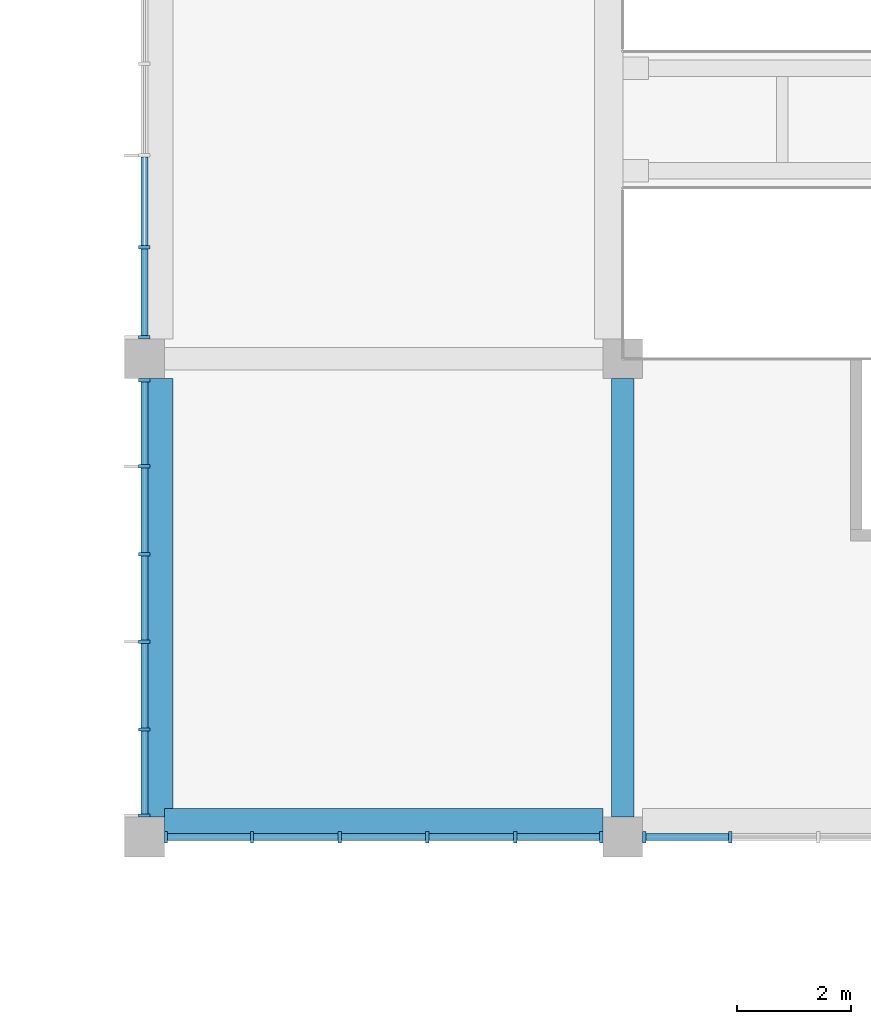
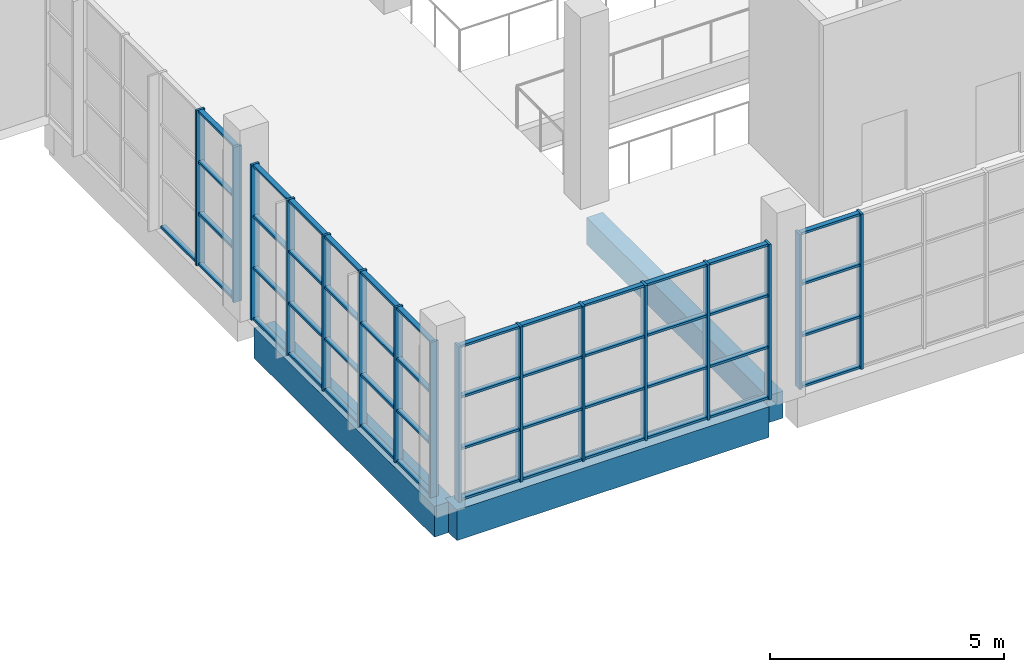
# One storey, part 5 of 82: 65 members, 3 beams, 4 elements without a shape of their own.
"""IFC4 building model written with IfcOpenShell, lengths in metres."""

from ifc_helpers import new_model, si_unit, direction, frame, origin, origin_2d, place, context, subcontext, project, spatial, rectangle, extrude, material, material_profile, profile_set, type_object, element, aggregate, save


model = new_model("IFC4")

# Units and contexts
model_context = context("Model", 3, precision=1e-05, world=origin(), true_north=direction((0.0, 1.0)))
body_context = subcontext(model_context, "Body", "Model", "MODEL_VIEW")
ifc_project = project(units=[si_unit("LENGTHUNIT", "METRE"), si_unit("AREAUNIT", "SQUARE_METRE"), si_unit("VOLUMEUNIT", "CUBIC_METRE"), si_unit("PLANEANGLEUNIT", "RADIAN"), si_unit("MASSUNIT", "GRAM", prefix="KILO")], contexts=[model_context])

# Site, building, storey
site_placement = place(None, origin())
site = spatial("IfcSite", under=ifc_project, at=site_placement, CompositionType="ELEMENT")
building_placement = place(site_placement, origin())
building = spatial("IfcBuilding", under=site, at=building_placement, Name="Almond Square Museum", CompositionType="ELEMENT")
storey_placement = place(building_placement, frame((0.0, 0.0, 20.0)))
storey = spatial("IfcBuildingStorey", under=building, at=storey_placement, Name="L03", CompositionType="ELEMENT", Elevation=20.0)

# Curtain wall, members
ifc_material_1 = material(Name="Aluminium and laminated glass", Category="aluminium")
curtain_wall_type = type_object("IfcCurtainWallType", Name="Unitised curtain wall 1500 module", PredefinedType="NOTDEFINED", material=ifc_material_1)
curtain_wall_1_placement = place(storey_placement, origin())
curtain_wall_1 = element("IfcCurtainWall", 1, at=curtain_wall_1_placement, inside=storey, type_object=curtain_wall_type, Name="Curtain wall CW-35", PredefinedType="NOTDEFINED")
ifc_material_2 = material(Name="Anodised aluminium", Category="aluminium")
ifc_material_profile_1 = material_profile(ifc_material_2, rectangle(XDim=0.199951171875, YDim=0.06005859375, at=origin_2d()))
ifc_profile_set_1 = profile_set([ifc_material_profile_1], Name="Anodised aluminium")
member_type_1 = type_object("IfcMemberType", Name="Aluminium mullion 60 x 200", PredefinedType="MULLION", material=ifc_profile_set_1)
member_1_placement = place(storey_placement, frame((73.199951171875, 75.97998046875, 0.0), z_axis=(0.0, 0.0, 1.0), x_axis=(-1.0, 0.0, 0.0)))
member_1 = element("IfcMember", 2, at=member_1_placement, type_object=member_type_1, Name="CW-35 mullion 1", PredefinedType="MULLION", context=body_context, shape_type="SweptSolid", body=[
    extrude(rectangle(XDim=0.199951171875, YDim=0.06005859375, at=origin_2d()), origin(), (0.0, 0.0, 1.0), 4.050048828125),
])
member_2_placement = place(storey_placement, frame((73.199951171875, 77.56005859375, 0.0), z_axis=(0.0, 0.0, 1.0), x_axis=(-1.0, 0.0, 0.0)))
member_2 = element("IfcMember", 3, at=member_2_placement, type_object=member_type_1, Name="CW-35 mullion 2", PredefinedType="MULLION", context=body_context, shape_type="SweptSolid", body=[
    extrude(rectangle(XDim=0.199951171875, YDim=0.06005859375, at=origin_2d()), origin(), (0.0, 0.0, 1.0), 4.050048828125),
])

curtain_wall_2_placement = place(storey_placement, origin())
curtain_wall_2 = element("IfcCurtainWall", 4, at=curtain_wall_2_placement, inside=storey, type_object=curtain_wall_type, Name="Curtain wall CW-36", PredefinedType="NOTDEFINED")
member_3_placement = place(storey_placement, frame((73.199951171875, 67.580078125, 0.0), z_axis=(0.0, 0.0, 1.0), x_axis=(-1.0, 0.0, 0.0)))
member_3 = element("IfcMember", 5, at=member_3_placement, type_object=member_type_1, Name="CW-36 mullion 1", PredefinedType="MULLION", context=body_context, shape_type="SweptSolid", body=[
    extrude(rectangle(XDim=0.199951171875, YDim=0.06005859375, at=origin_2d()), origin(), (0.0, 0.0, 1.0), 4.050048828125),
])
member_4_placement = place(storey_placement, frame((73.199951171875, 69.090087890625, 0.0), z_axis=(0.0, 0.0, 1.0), x_axis=(-1.0, 0.0, 0.0)))
member_4 = element("IfcMember", 6, at=member_4_placement, type_object=member_type_1, Name="CW-36 mullion 2", PredefinedType="MULLION", context=body_context, shape_type="SweptSolid", body=[
    extrude(rectangle(XDim=0.199951171875, YDim=0.06005859375, at=origin_2d()), origin(), (0.0, 0.0, 1.0), 4.050048828125),
])
member_5_placement = place(storey_placement, frame((73.199951171875, 70.6298828125, 0.0), z_axis=(0.0, 0.0, 1.0), x_axis=(-1.0, 0.0, 0.0)))
member_5 = element("IfcMember", 7, at=member_5_placement, type_object=member_type_1, Name="CW-36 mullion 3", PredefinedType="MULLION", context=body_context, shape_type="SweptSolid", body=[
    extrude(rectangle(XDim=0.199951171875, YDim=0.06005859375, at=origin_2d()), origin(), (0.0, 0.0, 1.0), 4.050048828125),
])
member_6_placement = place(storey_placement, frame((73.199951171875, 72.169921875, 0.0), z_axis=(0.0, 0.0, 1.0), x_axis=(-1.0, 0.0, 0.0)))
member_6 = element("IfcMember", 8, at=member_6_placement, type_object=member_type_1, Name="CW-36 mullion 4", PredefinedType="MULLION", context=body_context, shape_type="SweptSolid", body=[
    extrude(rectangle(XDim=0.199951171875, YDim=0.06005859375, at=origin_2d()), origin(), (0.0, 0.0, 1.0), 4.050048828125),
])
member_7_placement = place(storey_placement, frame((73.199951171875, 73.7099609375, 0.0), z_axis=(0.0, 0.0, 1.0), x_axis=(-1.0, 0.0, 0.0)))
member_7 = element("IfcMember", 9, at=member_7_placement, type_object=member_type_1, Name="CW-36 mullion 5", PredefinedType="MULLION", context=body_context, shape_type="SweptSolid", body=[
    extrude(rectangle(XDim=0.199951171875, YDim=0.06005859375, at=origin_2d()), origin(), (0.0, 0.0, 1.0), 4.050048828125),
])
member_8_placement = place(storey_placement, frame((73.199951171875, 75.219970703125, 0.0), z_axis=(0.0, 0.0, 1.0), x_axis=(-1.0, 0.0, 0.0)))
member_8 = element("IfcMember", 10, at=member_8_placement, type_object=member_type_1, Name="CW-36 mullion 6", PredefinedType="MULLION", context=body_context, shape_type="SweptSolid", body=[
    extrude(rectangle(XDim=0.199951171875, YDim=0.06005859375, at=origin_2d()), origin(), (0.0, 0.0, 1.0), 4.050048828125),
])

curtain_wall_3_placement = place(storey_placement, origin())
curtain_wall_3 = element("IfcCurtainWall", 11, at=curtain_wall_3_placement, inside=storey, type_object=curtain_wall_type, Name="Curtain wall CW-37", PredefinedType="NOTDEFINED")
member_9_placement = place(storey_placement, frame((73.580078125, 67.199951171875, 0.0), z_axis=(0.0, 0.0, 1.0), x_axis=(0.0, 1.0, 0.0)))
member_9 = element("IfcMember", 12, at=member_9_placement, type_object=member_type_1, Name="CW-37 mullion 1", PredefinedType="MULLION", context=body_context, shape_type="SweptSolid", body=[
    extrude(rectangle(XDim=0.199951171875, YDim=0.06005859375, at=origin_2d()), origin(), (0.0, 0.0, 1.0), 4.050048828125),
])
member_10_placement = place(storey_placement, frame((75.090087890625, 67.199951171875, 0.0), z_axis=(0.0, 0.0, 1.0), x_axis=(0.0, 1.0, 0.0)))
member_10 = element("IfcMember", 13, at=member_10_placement, type_object=member_type_1, Name="CW-37 mullion 2", PredefinedType="MULLION", context=body_context, shape_type="SweptSolid", body=[
    extrude(rectangle(XDim=0.199951171875, YDim=0.06005859375, at=origin_2d()), origin(), (0.0, 0.0, 1.0), 4.050048828125),
])
member_11_placement = place(storey_placement, frame((76.6298828125, 67.199951171875, 0.0), z_axis=(0.0, 0.0, 1.0), x_axis=(0.0, 1.0, 0.0)))
member_11 = element("IfcMember", 14, at=member_11_placement, type_object=member_type_1, Name="CW-37 mullion 3", PredefinedType="MULLION", context=body_context, shape_type="SweptSolid", body=[
    extrude(rectangle(XDim=0.199951171875, YDim=0.06005859375, at=origin_2d()), origin(), (0.0, 0.0, 1.0), 4.050048828125),
])
member_12_placement = place(storey_placement, frame((78.169921875, 67.199951171875, 0.0), z_axis=(0.0, 0.0, 1.0), x_axis=(0.0, 1.0, 0.0)))
member_12 = element("IfcMember", 15, at=member_12_placement, type_object=member_type_1, Name="CW-37 mullion 4", PredefinedType="MULLION", context=body_context, shape_type="SweptSolid", body=[
    extrude(rectangle(XDim=0.199951171875, YDim=0.06005859375, at=origin_2d()), origin(), (0.0, 0.0, 1.0), 4.050048828125),
])
member_13_placement = place(storey_placement, frame((79.7099609375, 67.199951171875, 0.0), z_axis=(0.0, 0.0, 1.0), x_axis=(0.0, 1.0, 0.0)))
member_13 = element("IfcMember", 16, at=member_13_placement, type_object=member_type_1, Name="CW-37 mullion 5", PredefinedType="MULLION", context=body_context, shape_type="SweptSolid", body=[
    extrude(rectangle(XDim=0.199951171875, YDim=0.06005859375, at=origin_2d()), origin(), (0.0, 0.0, 1.0), 4.050048828125),
])
member_14_placement = place(storey_placement, frame((81.219970703125, 67.199951171875, 0.0), z_axis=(0.0, 0.0, 1.0), x_axis=(0.0, 1.0, 0.0)))
member_14 = element("IfcMember", 17, at=member_14_placement, type_object=member_type_1, Name="CW-37 mullion 6", PredefinedType="MULLION", context=body_context, shape_type="SweptSolid", body=[
    extrude(rectangle(XDim=0.199951171875, YDim=0.06005859375, at=origin_2d()), origin(), (0.0, 0.0, 1.0), 4.050048828125),
])

curtain_wall_4_placement = place(storey_placement, origin())
curtain_wall_4 = element("IfcCurtainWall", 18, at=curtain_wall_4_placement, inside=storey, type_object=curtain_wall_type, Name="Curtain wall CW-38", PredefinedType="NOTDEFINED")
member_15_placement = place(storey_placement, frame((81.97998046875, 67.199951171875, 0.0), z_axis=(0.0, 0.0, 1.0), x_axis=(0.0, 1.0, 0.0)))
member_15 = element("IfcMember", 19, at=member_15_placement, type_object=member_type_1, Name="CW-38 mullion 1", PredefinedType="MULLION", context=body_context, shape_type="SweptSolid", body=[
    extrude(rectangle(XDim=0.199951171875, YDim=0.06005859375, at=origin_2d()), origin(), (0.0, 0.0, 1.0), 4.050048828125),
])
member_16_placement = place(storey_placement, frame((83.489990234375, 67.199951171875, 0.0), z_axis=(0.0, 0.0, 1.0), x_axis=(0.0, 1.0, 0.0)))
member_16 = element("IfcMember", 20, at=member_16_placement, type_object=member_type_1, Name="CW-38 mullion 2", PredefinedType="MULLION", context=body_context, shape_type="SweptSolid", body=[
    extrude(rectangle(XDim=0.199951171875, YDim=0.06005859375, at=origin_2d()), origin(), (0.0, 0.0, 1.0), 4.050048828125),
])

# Member
ifc_material_3 = material(Name="Anodised aluminium", Category="aluminium")
ifc_material_profile_2 = material_profile(ifc_material_3, rectangle(XDim=0.1201171875, YDim=0.06005859375, at=origin_2d()))
ifc_profile_set_2 = profile_set([ifc_material_profile_2], Name="Anodised aluminium")
member_type_2 = type_object("IfcMemberType", Name="Aluminium transom 60 x 120", PredefinedType="USERDEFINED", material=ifc_profile_set_2)
member_17_placement = place(storey_placement, frame((73.199951171875, 76.010009765625, 0.030029296875), z_axis=(0.0, 1.0, 0.0), x_axis=(-1.0, 0.0, 0.0)))
member_17 = element("IfcMember", 21, at=member_17_placement, type_object=member_type_2, Name="CW-35 transom 1.1", ObjectType="TRANSOM", PredefinedType="USERDEFINED", context=body_context, shape_type="SweptSolid", body=[
    extrude(rectangle(XDim=0.1201171875, YDim=0.06005859375, at=origin_2d()), origin(), (0.0, 0.0, 1.0), 1.52001953125),
])

member_18_placement = place(storey_placement, frame((73.199951171875, 76.010009765625, 1.35009765625), z_axis=(0.0, 1.0, 0.0), x_axis=(-1.0, 0.0, 0.0)))
member_18 = element("IfcMember", 22, at=member_18_placement, type_object=member_type_2, Name="CW-35 transom 1.2", ObjectType="TRANSOM", PredefinedType="USERDEFINED", context=body_context, shape_type="SweptSolid", body=[
    extrude(rectangle(XDim=0.1201171875, YDim=0.06005859375, at=origin_2d()), origin(), (0.0, 0.0, 1.0), 1.52001953125),
])

member_19_placement = place(storey_placement, frame((73.199951171875, 76.010009765625, 2.699951171875), z_axis=(0.0, 1.0, 0.0), x_axis=(-1.0, 0.0, 0.0)))
member_19 = element("IfcMember", 23, at=member_19_placement, type_object=member_type_2, Name="CW-35 transom 1.3", ObjectType="TRANSOM", PredefinedType="USERDEFINED", context=body_context, shape_type="SweptSolid", body=[
    extrude(rectangle(XDim=0.1201171875, YDim=0.06005859375, at=origin_2d()), origin(), (0.0, 0.0, 1.0), 1.52001953125),
])

member_20_placement = place(storey_placement, frame((73.199951171875, 76.010009765625, 4.02001953125), z_axis=(0.0, 1.0, 0.0), x_axis=(-1.0, 0.0, 0.0)))
member_20 = element("IfcMember", 24, at=member_20_placement, type_object=member_type_2, Name="CW-35 transom 1.4", ObjectType="TRANSOM", PredefinedType="USERDEFINED", context=body_context, shape_type="SweptSolid", body=[
    extrude(rectangle(XDim=0.1201171875, YDim=0.06005859375, at=origin_2d()), origin(), (0.0, 0.0, 1.0), 1.52001953125),
])

member_21_placement = place(storey_placement, frame((73.199951171875, 77.590087890625, 0.030029296875), z_axis=(0.0, 1.0, 0.0), x_axis=(-1.0, 0.0, 0.0)))
member_21 = element("IfcMember", 25, at=member_21_placement, type_object=member_type_2, Name="CW-35 transom 2.1", ObjectType="TRANSOM", PredefinedType="USERDEFINED", context=body_context, shape_type="SweptSolid", body=[
    extrude(rectangle(XDim=0.1201171875, YDim=0.06005859375, at=origin_2d()), origin(), (0.0, 0.0, 1.0), 1.5498046875),
])

aggregate(curtain_wall_1, [member_1, member_2, member_17, member_18, member_19, member_20, member_21])

member_22_placement = place(storey_placement, frame((73.199951171875, 67.610107421875, 0.030029296875), z_axis=(0.0, 1.0, 0.0), x_axis=(-1.0, 0.0, 0.0)))
member_22 = element("IfcMember", 26, at=member_22_placement, type_object=member_type_2, Name="CW-36 transom 1.1", ObjectType="TRANSOM", PredefinedType="USERDEFINED", context=body_context, shape_type="SweptSolid", body=[
    extrude(rectangle(XDim=0.1201171875, YDim=0.06005859375, at=origin_2d()), origin(), (0.0, 0.0, 1.0), 1.449951171875),
])

member_23_placement = place(storey_placement, frame((73.199951171875, 67.610107421875, 1.35009765625), z_axis=(0.0, 1.0, 0.0), x_axis=(-1.0, 0.0, 0.0)))
member_23 = element("IfcMember", 27, at=member_23_placement, type_object=member_type_2, Name="CW-36 transom 1.2", ObjectType="TRANSOM", PredefinedType="USERDEFINED", context=body_context, shape_type="SweptSolid", body=[
    extrude(rectangle(XDim=0.1201171875, YDim=0.06005859375, at=origin_2d()), origin(), (0.0, 0.0, 1.0), 1.449951171875),
])

member_24_placement = place(storey_placement, frame((73.199951171875, 67.610107421875, 2.699951171875), z_axis=(0.0, 1.0, 0.0), x_axis=(-1.0, 0.0, 0.0)))
member_24 = element("IfcMember", 28, at=member_24_placement, type_object=member_type_2, Name="CW-36 transom 1.3", ObjectType="TRANSOM", PredefinedType="USERDEFINED", context=body_context, shape_type="SweptSolid", body=[
    extrude(rectangle(XDim=0.1201171875, YDim=0.06005859375, at=origin_2d()), origin(), (0.0, 0.0, 1.0), 1.449951171875),
])

member_25_placement = place(storey_placement, frame((73.199951171875, 67.610107421875, 4.02001953125), z_axis=(0.0, 1.0, 0.0), x_axis=(-1.0, 0.0, 0.0)))
member_25 = element("IfcMember", 29, at=member_25_placement, type_object=member_type_2, Name="CW-36 transom 1.4", ObjectType="TRANSOM", PredefinedType="USERDEFINED", context=body_context, shape_type="SweptSolid", body=[
    extrude(rectangle(XDim=0.1201171875, YDim=0.06005859375, at=origin_2d()), origin(), (0.0, 0.0, 1.0), 1.449951171875),
])

member_26_placement = place(storey_placement, frame((73.199951171875, 69.1201171875, 0.030029296875), z_axis=(0.0, 1.0, 0.0), x_axis=(-1.0, 0.0, 0.0)))
member_26 = element("IfcMember", 30, at=member_26_placement, type_object=member_type_2, Name="CW-36 transom 2.1", ObjectType="TRANSOM", PredefinedType="USERDEFINED", context=body_context, shape_type="SweptSolid", body=[
    extrude(rectangle(XDim=0.1201171875, YDim=0.06005859375, at=origin_2d()), origin(), (0.0, 0.0, 1.0), 1.47998046875),
])

member_27_placement = place(storey_placement, frame((73.199951171875, 69.1201171875, 1.35009765625), z_axis=(0.0, 1.0, 0.0), x_axis=(-1.0, 0.0, 0.0)))
member_27 = element("IfcMember", 31, at=member_27_placement, type_object=member_type_2, Name="CW-36 transom 2.2", ObjectType="TRANSOM", PredefinedType="USERDEFINED", context=body_context, shape_type="SweptSolid", body=[
    extrude(rectangle(XDim=0.1201171875, YDim=0.06005859375, at=origin_2d()), origin(), (0.0, 0.0, 1.0), 1.47998046875),
])

member_28_placement = place(storey_placement, frame((73.199951171875, 69.1201171875, 2.699951171875), z_axis=(0.0, 1.0, 0.0), x_axis=(-1.0, 0.0, 0.0)))
member_28 = element("IfcMember", 32, at=member_28_placement, type_object=member_type_2, Name="CW-36 transom 2.3", ObjectType="TRANSOM", PredefinedType="USERDEFINED", context=body_context, shape_type="SweptSolid", body=[
    extrude(rectangle(XDim=0.1201171875, YDim=0.06005859375, at=origin_2d()), origin(), (0.0, 0.0, 1.0), 1.47998046875),
])

member_29_placement = place(storey_placement, frame((73.199951171875, 69.1201171875, 4.02001953125), z_axis=(0.0, 1.0, 0.0), x_axis=(-1.0, 0.0, 0.0)))
member_29 = element("IfcMember", 33, at=member_29_placement, type_object=member_type_2, Name="CW-36 transom 2.4", ObjectType="TRANSOM", PredefinedType="USERDEFINED", context=body_context, shape_type="SweptSolid", body=[
    extrude(rectangle(XDim=0.1201171875, YDim=0.06005859375, at=origin_2d()), origin(), (0.0, 0.0, 1.0), 1.47998046875),
])

member_30_placement = place(storey_placement, frame((73.199951171875, 70.659912109375, 0.030029296875), z_axis=(0.0, 1.0, 0.0), x_axis=(-1.0, 0.0, 0.0)))
member_30 = element("IfcMember", 34, at=member_30_placement, type_object=member_type_2, Name="CW-36 transom 3.1", ObjectType="TRANSOM", PredefinedType="USERDEFINED", context=body_context, shape_type="SweptSolid", body=[
    extrude(rectangle(XDim=0.1201171875, YDim=0.06005859375, at=origin_2d()), origin(), (0.0, 0.0, 1.0), 1.47998046875),
])

member_31_placement = place(storey_placement, frame((73.199951171875, 70.659912109375, 1.35009765625), z_axis=(0.0, 1.0, 0.0), x_axis=(-1.0, 0.0, 0.0)))
member_31 = element("IfcMember", 35, at=member_31_placement, type_object=member_type_2, Name="CW-36 transom 3.2", ObjectType="TRANSOM", PredefinedType="USERDEFINED", context=body_context, shape_type="SweptSolid", body=[
    extrude(rectangle(XDim=0.1201171875, YDim=0.06005859375, at=origin_2d()), origin(), (0.0, 0.0, 1.0), 1.47998046875),
])

member_32_placement = place(storey_placement, frame((73.199951171875, 70.659912109375, 2.699951171875), z_axis=(0.0, 1.0, 0.0), x_axis=(-1.0, 0.0, 0.0)))
member_32 = element("IfcMember", 36, at=member_32_placement, type_object=member_type_2, Name="CW-36 transom 3.3", ObjectType="TRANSOM", PredefinedType="USERDEFINED", context=body_context, shape_type="SweptSolid", body=[
    extrude(rectangle(XDim=0.1201171875, YDim=0.06005859375, at=origin_2d()), origin(), (0.0, 0.0, 1.0), 1.47998046875),
])

member_33_placement = place(storey_placement, frame((73.199951171875, 70.659912109375, 4.02001953125), z_axis=(0.0, 1.0, 0.0), x_axis=(-1.0, 0.0, 0.0)))
member_33 = element("IfcMember", 37, at=member_33_placement, type_object=member_type_2, Name="CW-36 transom 3.4", ObjectType="TRANSOM", PredefinedType="USERDEFINED", context=body_context, shape_type="SweptSolid", body=[
    extrude(rectangle(XDim=0.1201171875, YDim=0.06005859375, at=origin_2d()), origin(), (0.0, 0.0, 1.0), 1.47998046875),
])

member_34_placement = place(storey_placement, frame((73.199951171875, 72.199951171875, 0.030029296875), z_axis=(0.0, 1.0, 0.0), x_axis=(-1.0, 0.0, 0.0)))
member_34 = element("IfcMember", 38, at=member_34_placement, type_object=member_type_2, Name="CW-36 transom 4.1", ObjectType="TRANSOM", PredefinedType="USERDEFINED", context=body_context, shape_type="SweptSolid", body=[
    extrude(rectangle(XDim=0.1201171875, YDim=0.06005859375, at=origin_2d()), origin(), (0.0, 0.0, 1.0), 1.47998046875),
])

member_35_placement = place(storey_placement, frame((73.199951171875, 72.199951171875, 1.35009765625), z_axis=(0.0, 1.0, 0.0), x_axis=(-1.0, 0.0, 0.0)))
member_35 = element("IfcMember", 39, at=member_35_placement, type_object=member_type_2, Name="CW-36 transom 4.2", ObjectType="TRANSOM", PredefinedType="USERDEFINED", context=body_context, shape_type="SweptSolid", body=[
    extrude(rectangle(XDim=0.1201171875, YDim=0.06005859375, at=origin_2d()), origin(), (0.0, 0.0, 1.0), 1.47998046875),
])

member_36_placement = place(storey_placement, frame((73.199951171875, 72.199951171875, 2.699951171875), z_axis=(0.0, 1.0, 0.0), x_axis=(-1.0, 0.0, 0.0)))
member_36 = element("IfcMember", 40, at=member_36_placement, type_object=member_type_2, Name="CW-36 transom 4.3", ObjectType="TRANSOM", PredefinedType="USERDEFINED", context=body_context, shape_type="SweptSolid", body=[
    extrude(rectangle(XDim=0.1201171875, YDim=0.06005859375, at=origin_2d()), origin(), (0.0, 0.0, 1.0), 1.47998046875),
])

member_37_placement = place(storey_placement, frame((73.199951171875, 72.199951171875, 4.02001953125), z_axis=(0.0, 1.0, 0.0), x_axis=(-1.0, 0.0, 0.0)))
member_37 = element("IfcMember", 41, at=member_37_placement, type_object=member_type_2, Name="CW-36 transom 4.4", ObjectType="TRANSOM", PredefinedType="USERDEFINED", context=body_context, shape_type="SweptSolid", body=[
    extrude(rectangle(XDim=0.1201171875, YDim=0.06005859375, at=origin_2d()), origin(), (0.0, 0.0, 1.0), 1.47998046875),
])

member_38_placement = place(storey_placement, frame((73.199951171875, 73.739990234375, 0.030029296875), z_axis=(0.0, 1.0, 0.0), x_axis=(-1.0, 0.0, 0.0)))
member_38 = element("IfcMember", 42, at=member_38_placement, type_object=member_type_2, Name="CW-36 transom 5.1", ObjectType="TRANSOM", PredefinedType="USERDEFINED", context=body_context, shape_type="SweptSolid", body=[
    extrude(rectangle(XDim=0.1201171875, YDim=0.06005859375, at=origin_2d()), origin(), (0.0, 0.0, 1.0), 1.449951171875),
])

member_39_placement = place(storey_placement, frame((73.199951171875, 73.739990234375, 1.35009765625), z_axis=(0.0, 1.0, 0.0), x_axis=(-1.0, 0.0, 0.0)))
member_39 = element("IfcMember", 43, at=member_39_placement, type_object=member_type_2, Name="CW-36 transom 5.2", ObjectType="TRANSOM", PredefinedType="USERDEFINED", context=body_context, shape_type="SweptSolid", body=[
    extrude(rectangle(XDim=0.1201171875, YDim=0.06005859375, at=origin_2d()), origin(), (0.0, 0.0, 1.0), 1.449951171875),
])

member_40_placement = place(storey_placement, frame((73.199951171875, 73.739990234375, 2.699951171875), z_axis=(0.0, 1.0, 0.0), x_axis=(-1.0, 0.0, 0.0)))
member_40 = element("IfcMember", 44, at=member_40_placement, type_object=member_type_2, Name="CW-36 transom 5.3", ObjectType="TRANSOM", PredefinedType="USERDEFINED", context=body_context, shape_type="SweptSolid", body=[
    extrude(rectangle(XDim=0.1201171875, YDim=0.06005859375, at=origin_2d()), origin(), (0.0, 0.0, 1.0), 1.449951171875),
])

member_41_placement = place(storey_placement, frame((73.199951171875, 73.739990234375, 4.02001953125), z_axis=(0.0, 1.0, 0.0), x_axis=(-1.0, 0.0, 0.0)))
member_41 = element("IfcMember", 45, at=member_41_placement, type_object=member_type_2, Name="CW-36 transom 5.4", ObjectType="TRANSOM", PredefinedType="USERDEFINED", context=body_context, shape_type="SweptSolid", body=[
    extrude(rectangle(XDim=0.1201171875, YDim=0.06005859375, at=origin_2d()), origin(), (0.0, 0.0, 1.0), 1.449951171875),
])

aggregate(curtain_wall_2, [member_3, member_4, member_5, member_6, member_7, member_8, member_22, member_23, member_24, member_25, member_26, member_27, member_28, member_29, member_30, member_31, member_32, member_33, member_34, member_35, member_36, member_37, member_38, member_39, member_40, member_41])

member_42_placement = place(storey_placement, frame((73.610107421875, 67.199951171875, 0.030029296875), z_axis=(1.0, 0.0, 0.0), x_axis=(0.0, 1.0, 0.0)))
member_42 = element("IfcMember", 46, at=member_42_placement, type_object=member_type_2, Name="CW-37 transom 1.1", ObjectType="TRANSOM", PredefinedType="USERDEFINED", context=body_context, shape_type="SweptSolid", body=[
    extrude(rectangle(XDim=0.1201171875, YDim=0.06005859375, at=origin_2d()), origin(), (0.0, 0.0, 1.0), 1.449951171875),
])

member_43_placement = place(storey_placement, frame((73.610107421875, 67.199951171875, 1.35009765625), z_axis=(1.0, 0.0, 0.0), x_axis=(0.0, 1.0, 0.0)))
member_43 = element("IfcMember", 47, at=member_43_placement, type_object=member_type_2, Name="CW-37 transom 1.2", ObjectType="TRANSOM", PredefinedType="USERDEFINED", context=body_context, shape_type="SweptSolid", body=[
    extrude(rectangle(XDim=0.1201171875, YDim=0.06005859375, at=origin_2d()), origin(), (0.0, 0.0, 1.0), 1.449951171875),
])

member_44_placement = place(storey_placement, frame((73.610107421875, 67.199951171875, 2.699951171875), z_axis=(1.0, 0.0, 0.0), x_axis=(0.0, 1.0, 0.0)))
member_44 = element("IfcMember", 48, at=member_44_placement, type_object=member_type_2, Name="CW-37 transom 1.3", ObjectType="TRANSOM", PredefinedType="USERDEFINED", context=body_context, shape_type="SweptSolid", body=[
    extrude(rectangle(XDim=0.1201171875, YDim=0.06005859375, at=origin_2d()), origin(), (0.0, 0.0, 1.0), 1.449951171875),
])

member_45_placement = place(storey_placement, frame((73.610107421875, 67.199951171875, 4.02001953125), z_axis=(1.0, 0.0, 0.0), x_axis=(0.0, 1.0, 0.0)))
member_45 = element("IfcMember", 49, at=member_45_placement, type_object=member_type_2, Name="CW-37 transom 1.4", ObjectType="TRANSOM", PredefinedType="USERDEFINED", context=body_context, shape_type="SweptSolid", body=[
    extrude(rectangle(XDim=0.1201171875, YDim=0.06005859375, at=origin_2d()), origin(), (0.0, 0.0, 1.0), 1.449951171875),
])

member_46_placement = place(storey_placement, frame((75.1201171875, 67.199951171875, 0.030029296875), z_axis=(1.0, 0.0, 0.0), x_axis=(0.0, 1.0, 0.0)))
member_46 = element("IfcMember", 50, at=member_46_placement, type_object=member_type_2, Name="CW-37 transom 2.1", ObjectType="TRANSOM", PredefinedType="USERDEFINED", context=body_context, shape_type="SweptSolid", body=[
    extrude(rectangle(XDim=0.1201171875, YDim=0.06005859375, at=origin_2d()), origin(), (0.0, 0.0, 1.0), 1.47998046875),
])

member_47_placement = place(storey_placement, frame((75.1201171875, 67.199951171875, 1.35009765625), z_axis=(1.0, 0.0, 0.0), x_axis=(0.0, 1.0, 0.0)))
member_47 = element("IfcMember", 51, at=member_47_placement, type_object=member_type_2, Name="CW-37 transom 2.2", ObjectType="TRANSOM", PredefinedType="USERDEFINED", context=body_context, shape_type="SweptSolid", body=[
    extrude(rectangle(XDim=0.1201171875, YDim=0.06005859375, at=origin_2d()), origin(), (0.0, 0.0, 1.0), 1.47998046875),
])

member_48_placement = place(storey_placement, frame((75.1201171875, 67.199951171875, 2.699951171875), z_axis=(1.0, 0.0, 0.0), x_axis=(0.0, 1.0, 0.0)))
member_48 = element("IfcMember", 52, at=member_48_placement, type_object=member_type_2, Name="CW-37 transom 2.3", ObjectType="TRANSOM", PredefinedType="USERDEFINED", context=body_context, shape_type="SweptSolid", body=[
    extrude(rectangle(XDim=0.1201171875, YDim=0.06005859375, at=origin_2d()), origin(), (0.0, 0.0, 1.0), 1.47998046875),
])

member_49_placement = place(storey_placement, frame((75.1201171875, 67.199951171875, 4.02001953125), z_axis=(1.0, 0.0, 0.0), x_axis=(0.0, 1.0, 0.0)))
member_49 = element("IfcMember", 53, at=member_49_placement, type_object=member_type_2, Name="CW-37 transom 2.4", ObjectType="TRANSOM", PredefinedType="USERDEFINED", context=body_context, shape_type="SweptSolid", body=[
    extrude(rectangle(XDim=0.1201171875, YDim=0.06005859375, at=origin_2d()), origin(), (0.0, 0.0, 1.0), 1.47998046875),
])

member_50_placement = place(storey_placement, frame((76.659912109375, 67.199951171875, 0.030029296875), z_axis=(1.0, 0.0, 0.0), x_axis=(0.0, 1.0, 0.0)))
member_50 = element("IfcMember", 54, at=member_50_placement, type_object=member_type_2, Name="CW-37 transom 3.1", ObjectType="TRANSOM", PredefinedType="USERDEFINED", context=body_context, shape_type="SweptSolid", body=[
    extrude(rectangle(XDim=0.1201171875, YDim=0.06005859375, at=origin_2d()), origin(), (0.0, 0.0, 1.0), 1.47998046875),
])

member_51_placement = place(storey_placement, frame((76.659912109375, 67.199951171875, 1.35009765625), z_axis=(1.0, 0.0, 0.0), x_axis=(0.0, 1.0, 0.0)))
member_51 = element("IfcMember", 55, at=member_51_placement, type_object=member_type_2, Name="CW-37 transom 3.2", ObjectType="TRANSOM", PredefinedType="USERDEFINED", context=body_context, shape_type="SweptSolid", body=[
    extrude(rectangle(XDim=0.1201171875, YDim=0.06005859375, at=origin_2d()), origin(), (0.0, 0.0, 1.0), 1.47998046875),
])

member_52_placement = place(storey_placement, frame((76.659912109375, 67.199951171875, 2.699951171875), z_axis=(1.0, 0.0, 0.0), x_axis=(0.0, 1.0, 0.0)))
member_52 = element("IfcMember", 56, at=member_52_placement, type_object=member_type_2, Name="CW-37 transom 3.3", ObjectType="TRANSOM", PredefinedType="USERDEFINED", context=body_context, shape_type="SweptSolid", body=[
    extrude(rectangle(XDim=0.1201171875, YDim=0.06005859375, at=origin_2d()), origin(), (0.0, 0.0, 1.0), 1.47998046875),
])

member_53_placement = place(storey_placement, frame((76.659912109375, 67.199951171875, 4.02001953125), z_axis=(1.0, 0.0, 0.0), x_axis=(0.0, 1.0, 0.0)))
member_53 = element("IfcMember", 57, at=member_53_placement, type_object=member_type_2, Name="CW-37 transom 3.4", ObjectType="TRANSOM", PredefinedType="USERDEFINED", context=body_context, shape_type="SweptSolid", body=[
    extrude(rectangle(XDim=0.1201171875, YDim=0.06005859375, at=origin_2d()), origin(), (0.0, 0.0, 1.0), 1.47998046875),
])

member_54_placement = place(storey_placement, frame((78.199951171875, 67.199951171875, 0.030029296875), z_axis=(1.0, 0.0, 0.0), x_axis=(0.0, 1.0, 0.0)))
member_54 = element("IfcMember", 58, at=member_54_placement, type_object=member_type_2, Name="CW-37 transom 4.1", ObjectType="TRANSOM", PredefinedType="USERDEFINED", context=body_context, shape_type="SweptSolid", body=[
    extrude(rectangle(XDim=0.1201171875, YDim=0.06005859375, at=origin_2d()), origin(), (0.0, 0.0, 1.0), 1.47998046875),
])

member_55_placement = place(storey_placement, frame((78.199951171875, 67.199951171875, 1.35009765625), z_axis=(1.0, 0.0, 0.0), x_axis=(0.0, 1.0, 0.0)))
member_55 = element("IfcMember", 59, at=member_55_placement, type_object=member_type_2, Name="CW-37 transom 4.2", ObjectType="TRANSOM", PredefinedType="USERDEFINED", context=body_context, shape_type="SweptSolid", body=[
    extrude(rectangle(XDim=0.1201171875, YDim=0.06005859375, at=origin_2d()), origin(), (0.0, 0.0, 1.0), 1.47998046875),
])

member_56_placement = place(storey_placement, frame((78.199951171875, 67.199951171875, 2.699951171875), z_axis=(1.0, 0.0, 0.0), x_axis=(0.0, 1.0, 0.0)))
member_56 = element("IfcMember", 60, at=member_56_placement, type_object=member_type_2, Name="CW-37 transom 4.3", ObjectType="TRANSOM", PredefinedType="USERDEFINED", context=body_context, shape_type="SweptSolid", body=[
    extrude(rectangle(XDim=0.1201171875, YDim=0.06005859375, at=origin_2d()), origin(), (0.0, 0.0, 1.0), 1.47998046875),
])

member_57_placement = place(storey_placement, frame((78.199951171875, 67.199951171875, 4.02001953125), z_axis=(1.0, 0.0, 0.0), x_axis=(0.0, 1.0, 0.0)))
member_57 = element("IfcMember", 61, at=member_57_placement, type_object=member_type_2, Name="CW-37 transom 4.4", ObjectType="TRANSOM", PredefinedType="USERDEFINED", context=body_context, shape_type="SweptSolid", body=[
    extrude(rectangle(XDim=0.1201171875, YDim=0.06005859375, at=origin_2d()), origin(), (0.0, 0.0, 1.0), 1.47998046875),
])

member_58_placement = place(storey_placement, frame((79.739990234375, 67.199951171875, 0.030029296875), z_axis=(1.0, 0.0, 0.0), x_axis=(0.0, 1.0, 0.0)))
member_58 = element("IfcMember", 62, at=member_58_placement, type_object=member_type_2, Name="CW-37 transom 5.1", ObjectType="TRANSOM", PredefinedType="USERDEFINED", context=body_context, shape_type="SweptSolid", body=[
    extrude(rectangle(XDim=0.1201171875, YDim=0.06005859375, at=origin_2d()), origin(), (0.0, 0.0, 1.0), 1.449951171875),
])

member_59_placement = place(storey_placement, frame((79.739990234375, 67.199951171875, 1.35009765625), z_axis=(1.0, 0.0, 0.0), x_axis=(0.0, 1.0, 0.0)))
member_59 = element("IfcMember", 63, at=member_59_placement, type_object=member_type_2, Name="CW-37 transom 5.2", ObjectType="TRANSOM", PredefinedType="USERDEFINED", context=body_context, shape_type="SweptSolid", body=[
    extrude(rectangle(XDim=0.1201171875, YDim=0.06005859375, at=origin_2d()), origin(), (0.0, 0.0, 1.0), 1.449951171875),
])

member_60_placement = place(storey_placement, frame((79.739990234375, 67.199951171875, 2.699951171875), z_axis=(1.0, 0.0, 0.0), x_axis=(0.0, 1.0, 0.0)))
member_60 = element("IfcMember", 64, at=member_60_placement, type_object=member_type_2, Name="CW-37 transom 5.3", ObjectType="TRANSOM", PredefinedType="USERDEFINED", context=body_context, shape_type="SweptSolid", body=[
    extrude(rectangle(XDim=0.1201171875, YDim=0.06005859375, at=origin_2d()), origin(), (0.0, 0.0, 1.0), 1.449951171875),
])

member_61_placement = place(storey_placement, frame((79.739990234375, 67.199951171875, 4.02001953125), z_axis=(1.0, 0.0, 0.0), x_axis=(0.0, 1.0, 0.0)))
member_61 = element("IfcMember", 65, at=member_61_placement, type_object=member_type_2, Name="CW-37 transom 5.4", ObjectType="TRANSOM", PredefinedType="USERDEFINED", context=body_context, shape_type="SweptSolid", body=[
    extrude(rectangle(XDim=0.1201171875, YDim=0.06005859375, at=origin_2d()), origin(), (0.0, 0.0, 1.0), 1.449951171875),
])

aggregate(curtain_wall_3, [member_9, member_10, member_11, member_12, member_13, member_14, member_42, member_43, member_44, member_45, member_46, member_47, member_48, member_49, member_50, member_51, member_52, member_53, member_54, member_55, member_56, member_57, member_58, member_59, member_60, member_61])

member_62_placement = place(storey_placement, frame((82.010009765625, 67.199951171875, 0.030029296875), z_axis=(1.0, 0.0, 0.0), x_axis=(0.0, 1.0, 0.0)))
member_62 = element("IfcMember", 66, at=member_62_placement, type_object=member_type_2, Name="CW-38 transom 1.1", ObjectType="TRANSOM", PredefinedType="USERDEFINED", context=body_context, shape_type="SweptSolid", body=[
    extrude(rectangle(XDim=0.1201171875, YDim=0.06005859375, at=origin_2d()), origin(), (0.0, 0.0, 1.0), 1.449951171875),
])

member_63_placement = place(storey_placement, frame((82.010009765625, 67.199951171875, 1.35009765625), z_axis=(1.0, 0.0, 0.0), x_axis=(0.0, 1.0, 0.0)))
member_63 = element("IfcMember", 67, at=member_63_placement, type_object=member_type_2, Name="CW-38 transom 1.2", ObjectType="TRANSOM", PredefinedType="USERDEFINED", context=body_context, shape_type="SweptSolid", body=[
    extrude(rectangle(XDim=0.1201171875, YDim=0.06005859375, at=origin_2d()), origin(), (0.0, 0.0, 1.0), 1.449951171875),
])

member_64_placement = place(storey_placement, frame((82.010009765625, 67.199951171875, 2.699951171875), z_axis=(1.0, 0.0, 0.0), x_axis=(0.0, 1.0, 0.0)))
member_64 = element("IfcMember", 68, at=member_64_placement, type_object=member_type_2, Name="CW-38 transom 1.3", ObjectType="TRANSOM", PredefinedType="USERDEFINED", context=body_context, shape_type="SweptSolid", body=[
    extrude(rectangle(XDim=0.1201171875, YDim=0.06005859375, at=origin_2d()), origin(), (0.0, 0.0, 1.0), 1.449951171875),
])

member_65_placement = place(storey_placement, frame((82.010009765625, 67.199951171875, 4.02001953125), z_axis=(1.0, 0.0, 0.0), x_axis=(0.0, 1.0, 0.0)))
member_65 = element("IfcMember", 69, at=member_65_placement, type_object=member_type_2, Name="CW-38 transom 1.4", ObjectType="TRANSOM", PredefinedType="USERDEFINED", context=body_context, shape_type="SweptSolid", body=[
    extrude(rectangle(XDim=0.1201171875, YDim=0.06005859375, at=origin_2d()), origin(), (0.0, 0.0, 1.0), 1.449951171875),
])

aggregate(curtain_wall_4, [member_15, member_16, member_62, member_63, member_64, member_65])

# Beams
ifc_material_4 = material(Name="Concrete C40/50", Category="concrete")
ifc_material_profile_3 = material_profile(ifc_material_4, rectangle(XDim=0.39990234375, YDim=0.699951171875, at=origin_2d()))
ifc_profile_set_3 = profile_set([ifc_material_profile_3], Name="Concrete C40/50")
beam_type_1 = type_object("IfcBeamType", Name="RC beam 400 x 700 C40/50", PredefinedType="BEAM", material=ifc_profile_set_3)
beam_placement = place(storey_placement, frame((81.60009765625, 67.550048828125, -0.60009765625), z_axis=(0.0, 1.0, 0.0), x_axis=(-1.0, 0.0, 0.0)))
element("IfcBeam", 70, at=beam_placement, inside=storey, type_object=beam_type_1, Name="Beam 11 I-J L03", PredefinedType="BEAM", context=body_context, shape_type="SweptSolid", body=[
    extrude(rectangle(XDim=0.39990234375, YDim=0.699951171875, at=origin_2d()), origin(), (0.0, 0.0, 1.0), 7.699951171875),
])
ifc_material_5 = material(Name="Concrete C40/50", Category="concrete")
ifc_material_profile_4 = material_profile(ifc_material_5, rectangle(XDim=0.5, YDim=0.800048828125, at=origin_2d()))
ifc_profile_set_4 = profile_set([ifc_material_profile_4], Name="Concrete C40/50")
beam_type_2 = type_object("IfcBeamType", Name="RC edge beam 500 x 800 C40/50", PredefinedType="BEAM", material=ifc_profile_set_4)
for number, where, z_axis, x_axis, name in (
    (71, (73.550048828125, 67.449951171875, -0.64990234375), (1.0, 0.0, 0.0), (0.0, 1.0, 0.0), "Edge beam I 10-11 L03"),
    (72, (73.449951171875, 67.550048828125, -0.64990234375), (0.0, 1.0, 0.0), (-1.0, 0.0, 0.0), "Edge beam 10 I-J L03"),
):
    element("IfcBeam", number, at=place(storey_placement, frame(where, z_axis=z_axis, x_axis=x_axis)), inside=storey, type_object=beam_type_2, Name=name, PredefinedType="BEAM", context=body_context, shape_type="SweptSolid", body=[
        extrude(rectangle(XDim=0.5, YDim=0.800048828125, at=origin_2d()), origin(), (0.0, 0.0, 1.0), 7.699951171875),
    ])

save(model, "model.ifc")
